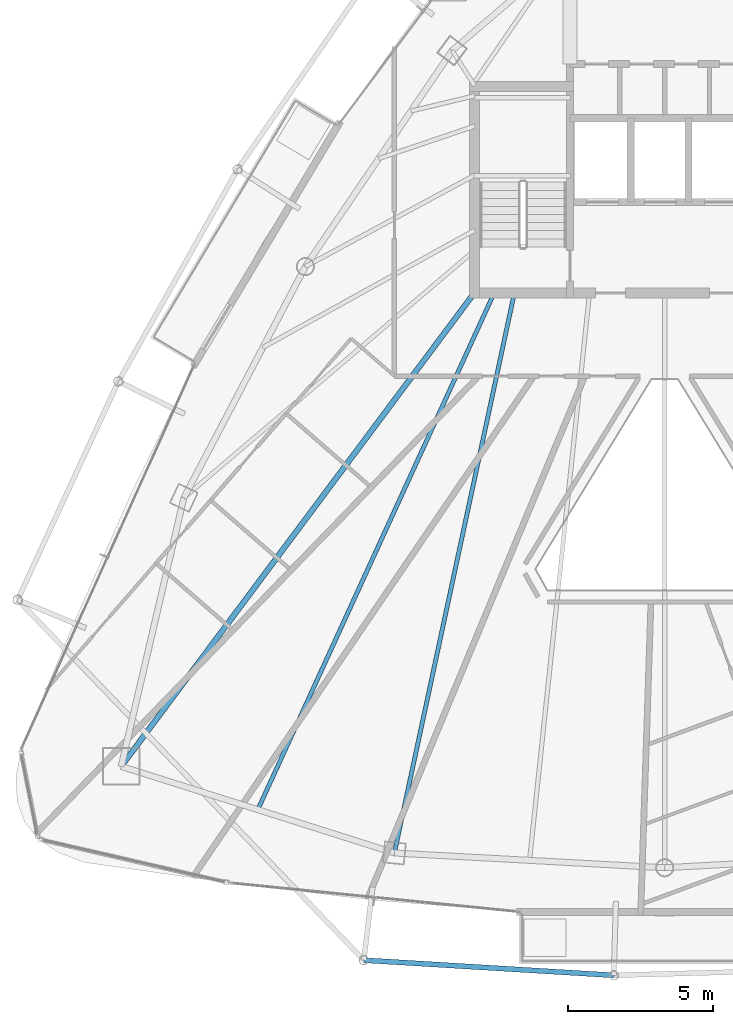
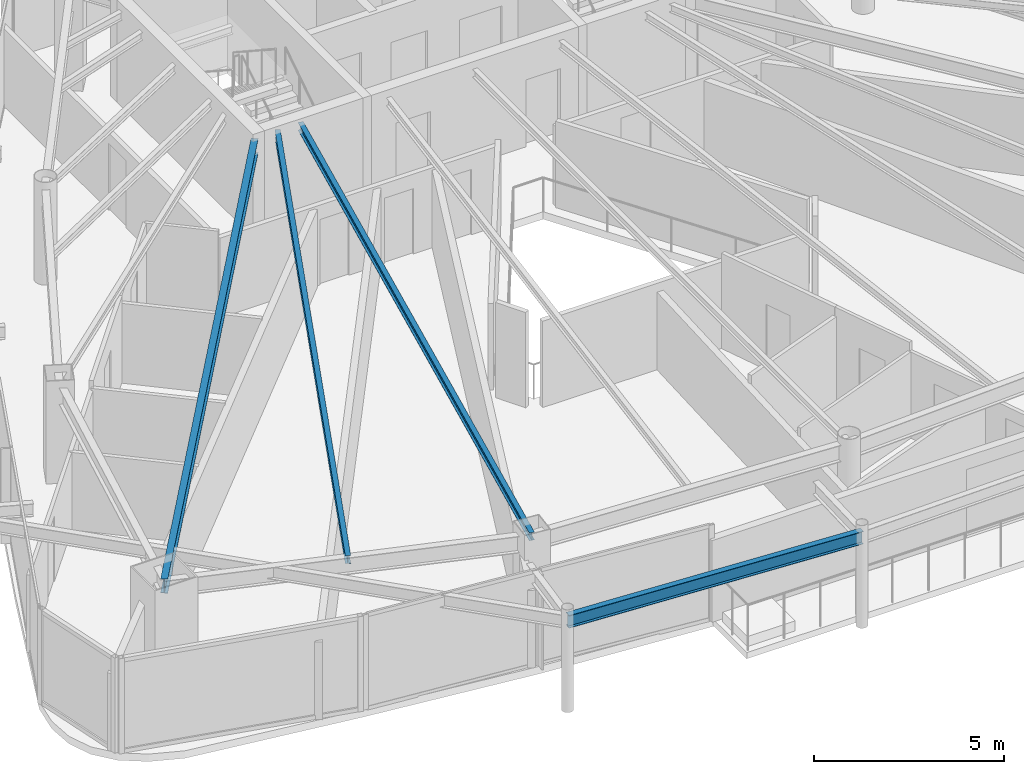
# One storey, part 6 of 29: 4 beams.
"""IFC4 building model written with IfcOpenShell, lengths in metres."""

import ifcopenshell
import ifcopenshell.guid

model = None  # the IFC model being written
_history = None  # IfcOwnerHistory: only IFC2X3 demands one
_inside = {}  # id of a spatial element -> (the spatial element, [elements in it])
_under = {}  # id of a project, library or spatial element -> (it, [spatial elements below it])
_declared = {}  # id of a project -> (the project, [libraries it declares])
_typed = {}  # id of a type object -> (the type object, [elements of that type])
_made_of = {}  # id of a material, layer set ... -> (it, [elements and type objects made of it])


def new_model(schema):
    """Start an empty IFC model of exactly this schema.

    Asked for "IFC4X3", IfcOpenShell would pick the latest addendum, in which some entities
    have other attributes; the version numbers below select the first issue.
    IFC2X3 requires an IfcOwnerHistory on every rooted entity: one is made here for all.
    """
    global model, _history
    if schema == "IFC4X3":
        model = ifcopenshell.file(schema_version=(4, 3, 0, 0))
    else:
        model = ifcopenshell.file(schema=schema)
    _inside.clear()
    _under.clear()
    _declared.clear()
    _typed.clear()
    _made_of.clear()
    _history = None
    if model.schema == "IFC2X3":
        org = make("IfcOrganization", Name="unknown")
        user = make(
            "IfcPersonAndOrganization",
            ThePerson=make("IfcPerson", FamilyName="unknown"),
            TheOrganization=org,
        )
        app = make(
            "IfcApplication",
            ApplicationDeveloper=org,
            Version="unknown",
            ApplicationFullName="unknown",
            ApplicationIdentifier="unknown",
        )
        _history = make(
            "IfcOwnerHistory",
            OwningUser=user,
            OwningApplication=app,
            ChangeAction="ADDED",
            CreationDate=0,
        )
    return model


def make(cls, **values):
    """One entity of the class cls with the attributes given. An attribute that is None is left unset."""
    return model.create_entity(
        cls, **{name: value for name, value in values.items() if value is not None}
    )


def rooted(cls, **values):
    """An entity with a GlobalId (a new one), such as an element, a storey or a relation."""
    return make(cls, GlobalId=ifcopenshell.guid.new(), OwnerHistory=_history, **values)


def si_unit(unit_type, name, prefix=None):
    """IfcSIUnit, for example si_unit("LENGTHUNIT", "METRE", prefix="MILLI")."""
    return make("IfcSIUnit", UnitType=unit_type, Prefix=prefix, Name=name)


def assignment(units):
    """IfcUnitAssignment: the units of a project."""
    return None if units is None else make("IfcUnitAssignment", Units=units)


def point(xyz):
    """IfcCartesianPoint."""
    return None if xyz is None else make("IfcCartesianPoint", Coordinates=xyz)


def direction(xyz):
    """IfcDirection."""
    return None if xyz is None else make("IfcDirection", DirectionRatios=xyz)


def frame(location, z_axis=None, x_axis=None):
    """IfcAxis2Placement3D, a coordinate frame: its origin and axes. An axis left out is left unset."""
    return make(
        "IfcAxis2Placement3D",
        Location=point(location),
        Axis=direction(z_axis),
        RefDirection=direction(x_axis),
    )


def frame_2d(location, x_axis=None):
    """IfcAxis2Placement2D, a coordinate frame in the plane: its origin and x axis."""
    return make(
        "IfcAxis2Placement2D", Location=point(location), RefDirection=direction(x_axis)
    )


def origin():
    """The frame at (0, 0, 0) with its axes left unset."""
    return frame((0.0, 0.0, 0.0))


def origin_2d():
    """The frame at (0, 0) in the plane with its x axis left unset."""
    return frame_2d((0.0, 0.0))


def place(relative_to, where):
    """IfcLocalPlacement: puts the frame where relative to a parent placement (None: the world)."""
    return make(
        "IfcLocalPlacement", PlacementRelTo=relative_to, RelativePlacement=where
    )


def context(
    kind, dimensions, precision=None, world=None, true_north=None, identifier=None
):
    """IfcGeometricRepresentationContext, for example the 3D "Model" context."""
    return make(
        "IfcGeometricRepresentationContext",
        ContextIdentifier=identifier,
        ContextType=kind,
        CoordinateSpaceDimension=dimensions,
        Precision=precision,
        WorldCoordinateSystem=world,
        TrueNorth=true_north,
    )


def subcontext(parent, identifier, kind, view, scale=None):
    """IfcGeometricRepresentationSubContext, for example "Body" below "Model"."""
    return make(
        "IfcGeometricRepresentationSubContext",
        ContextIdentifier=identifier,
        ContextType=kind,
        ParentContext=parent,
        TargetScale=scale,
        TargetView=view,
    )


def project(units=None, contexts=None):
    """IfcProject with its units and contexts."""
    return rooted(
        "IfcProject",
        Name="project",
        RepresentationContexts=contexts,
        UnitsInContext=assignment(units),
    )


def spatial(cls, under=None, at=None, **own):
    """A site, building, storey or space (cls), placed at a placement, below another one or the project."""
    s = rooted(cls, ObjectPlacement=at, **own)
    if under is not None:
        _under.setdefault(under.id(), (under, []))[1].append(s)
    return s


def profile(cls, at=None, kind="AREA", **sizes):
    """A parametric profile (cls). Its sizes go by their IFC names, for example OverallWidth=200.0."""
    return make(cls, ProfileType=kind, Position=at, **sizes)


def i_section(**sizes):
    """IfcIShapeProfileDef."""
    return profile("IfcIShapeProfileDef", **sizes)


def extrude(swept, where, along, depth):
    """IfcExtrudedAreaSolid: the profile swept, set in the frame where, extruded along a direction by depth."""
    return make(
        "IfcExtrudedAreaSolid",
        SweptArea=swept,
        Position=where,
        ExtrudedDirection=direction(along),
        Depth=depth,
    )


def shape(context_of_items, identifier, shape_type, items):
    """IfcShapeRepresentation: the items that make up one representation, for example the "Body"."""
    return make(
        "IfcShapeRepresentation",
        ContextOfItems=context_of_items,
        RepresentationIdentifier=identifier,
        RepresentationType=shape_type,
        Items=items,
    )


def material(Name=None, Category=None):
    """IfcMaterial."""
    return make("IfcMaterial", Name=Name, Category=Category)


def material_profile(
    of_material, cross_section, Name=None, Category=None, Priority=None
):
    """IfcMaterialProfile: a cross section and its material."""
    return make(
        "IfcMaterialProfile",
        Name=Name,
        Material=of_material,
        Profile=cross_section,
        Priority=Priority,
        Category=Category,
    )


def profile_set(profiles, Name=None, composite=None):
    """IfcMaterialProfileSet."""
    return make(
        "IfcMaterialProfileSet",
        Name=Name,
        MaterialProfiles=profiles,
        CompositeProfile=composite,
    )


def made_of(thing, what):
    """Note that an element or type object is made of a material, layer set ...; save() writes the relation."""
    if what is not None:
        _made_of.setdefault(what.id(), (what, []))[1].append(thing)
    return thing


def type_object(cls, material=None, **own):
    """A type object (cls), such as IfcWallType, which elements share."""
    return made_of(rooted(cls, **own), material)


def element(
    cls,
    number,
    at=None,
    inside=None,
    cuts=None,
    type_object=None,
    material=None,
    context=None,
    identifier="Body",
    shape_type=None,
    held_by="IfcProductDefinitionShape",
    body=None,
    shapes=None,
    **own,
):
    """One element of the class cls, such as IfcWall. Its Tag is "e" and its number.

    at: its placement. inside: the storey or other place that contains it. cuts: it is an
    opening in that element (IfcRelVoidsElement). A single representation is given by context,
    identifier, shape_type and body (its items); several are given by shapes. held_by: the class
    of the entity that holds the representations. save() writes the other relations.
    """
    e = rooted(cls, Tag="e%d" % number, ObjectPlacement=at, **own)
    if body is not None:
        shapes = [shape(context, identifier, shape_type, body)]
    if shapes is not None:
        e.Representation = make(held_by, Representations=shapes)
    if inside is not None:
        _inside.setdefault(inside.id(), (inside, []))[1].append(e)
    if cuts is not None:
        rooted(
            "IfcRelVoidsElement", RelatingBuildingElement=cuts, RelatedOpeningElement=e
        )
    if type_object is not None:
        _typed.setdefault(type_object.id(), (type_object, []))[1].append(e)
    return made_of(e, material)


def aggregate(whole, parts):
    """IfcRelAggregates: a whole, such as a stair, and the parts it consists of."""
    return rooted("IfcRelAggregates", RelatingObject=whole, RelatedObjects=parts)


def save(model, path):
    """Write the relations noted so far, then the file.

    IfcRelAggregates (storeys below a building ...), IfcRelContainedInSpatialStructure (elements
    in a storey), IfcRelDefinesByType, IfcRelAssociatesMaterial and IfcRelDeclares: one each for
    every whole, place, type object, material and project.
    """
    for whole, parts in _under.values():
        aggregate(whole, parts)
    for where, things in _inside.values():
        rooted(
            "IfcRelContainedInSpatialStructure",
            RelatedElements=things,
            RelatingStructure=where,
        )
    for kind, things in _typed.values():
        rooted("IfcRelDefinesByType", RelatedObjects=things, RelatingType=kind)
    for what, things in _made_of.values():
        rooted("IfcRelAssociatesMaterial", RelatedObjects=things, RelatingMaterial=what)
    for by, libraries in _declared.values():
        rooted("IfcRelDeclares", RelatingContext=by, RelatedDefinitions=libraries)
    model.write(path)


model = new_model("IFC4")

# Units and contexts
model_context = context("Model", 3, precision=1e-05, world=origin(), true_north=direction((0.0, 1.0)))
body_context = subcontext(model_context, "Body", "Model", "MODEL_VIEW")
ifc_project = project(units=[si_unit("LENGTHUNIT", "METRE"), si_unit("AREAUNIT", "SQUARE_METRE"), si_unit("VOLUMEUNIT", "CUBIC_METRE"), si_unit("PLANEANGLEUNIT", "RADIAN"), si_unit("MASSUNIT", "GRAM", prefix="KILO")], contexts=[model_context])

# Site, building, storey
site_placement = place(None, origin())
site = spatial("IfcSite", under=ifc_project, at=site_placement, CompositionType="ELEMENT")
building_placement = place(site_placement, origin())
building = spatial("IfcBuilding", under=site, at=building_placement, Name="Orvanel Arch Residences", CompositionType="ELEMENT")
storey_placement = place(building_placement, frame((0.0, 0.0, 243.64990234375)))
storey = spatial("IfcBuildingStorey", under=building, at=storey_placement, Name="L69", CompositionType="ELEMENT", Elevation=243.64990234375)

# Beams
ifc_material = material(Name="Structural steel AS/NZS 3679.1 Grade 300 (300 MPa)", Category="steel")
ifc_material_profile_1 = material_profile(ifc_material, i_section(OverallWidth=0.19091796875, OverallDepth=0.4599609375, WebThickness=0.010009765625, FlangeThickness=0.01611328125, at=origin_2d()), Name="460UB82.1")
ifc_profile_set_1 = profile_set([ifc_material_profile_1], Name="Structural steel AS/NZS 3679.1 Grade 300 (300 MPa)")
beam_type_1 = type_object("IfcBeamType", Name="BG-460UB", PredefinedType="BEAM", material=ifc_profile_set_1)
beam_1_placement = place(storey_placement, frame((26.375, 26.675048828125, 2.830078125), z_axis=(-0.597893733742, -0.801575375839, 0.0), x_axis=(0.801575375839, -0.597893733742, 0.0)))
element("IfcBeam", 1, at=beam_1_placement, inside=storey, type_object=beam_type_1, Name="L69 South-West Radial Girder", PredefinedType="BEAM", context=body_context, shape_type="SweptSolid", body=[
    extrude(i_section(OverallWidth=0.19091796875, OverallDepth=0.4599609375, WebThickness=0.010009765625, FlangeThickness=0.01611328125, at=origin_2d()), origin(), (0.0, 0.0, 1.0), 20.36474609375),
])
ifc_material_profile_2 = material_profile(ifc_material, i_section(OverallWidth=0.14599609375, OverallDepth=0.251953125, WebThickness=0.006103515625, FlangeThickness=0.008544921875, at=origin_2d()), Name="250UB31.4")
ifc_profile_set_2 = profile_set([ifc_material_profile_2], Name="Structural steel AS/NZS 3679.1 Grade 300 (300 MPa)")
beam_type_2 = type_object("IfcBeamType", Name="BJ-250UB", PredefinedType="JOIST", material=ifc_profile_set_2)
beam_2_placement = place(storey_placement, frame((27.800048828125, 26.72509765625, 2.93408203125), z_axis=(-0.209547604985, -0.977798446125, 0.0), x_axis=(0.977798446125, -0.209547604985, 0.0)))
element("IfcBeam", 2, at=beam_2_placement, inside=storey, type_object=beam_type_2, Name="L69 SW Wing Floor Joist", PredefinedType="JOIST", context=body_context, shape_type="SweptSolid", body=[
    extrude(i_section(OverallWidth=0.14599609375, OverallDepth=0.251953125, WebThickness=0.006103515625, FlangeThickness=0.008544921875, at=origin_2d()), origin(), (0.0, 0.0, 1.0), 19.809814453125),
])
beam_3_placement = place(storey_placement, frame((27.10009765625, 26.72509765625, 2.93408203125), z_axis=(-0.416009574066, -0.909360233508, 0.0), x_axis=(0.909360233508, -0.416009574066, 0.0)))
element("IfcBeam", 3, at=beam_3_placement, inside=storey, type_object=beam_type_2, Name="L69 JADD1 Wing Floor Joist", PredefinedType="JOIST", context=body_context, shape_type="SweptSolid", body=[
    extrude(i_section(OverallWidth=0.14599609375, OverallDepth=0.251953125, WebThickness=0.006103515625, FlangeThickness=0.008544921875, at=origin_2d()), origin(), (0.0, 0.0, 1.0), 19.653564453125),
])
ifc_material_profile_3 = material_profile(ifc_material, i_section(OverallWidth=0.177978515625, OverallDepth=0.406005859375, WebThickness=0.0078125, FlangeThickness=0.0126953125, at=origin_2d()), Name="410UB59.7")
ifc_profile_set_3 = profile_set([ifc_material_profile_3], Name="Structural steel AS/NZS 3679.1 Grade 300 (300 MPa)")
beam_type_3 = type_object("IfcBeamType", Name="OB-410UB-EXT", PredefinedType="SPANDREL", material=ifc_profile_set_3)
beam_4_placement = place(storey_placement, frame((22.592041015625, 3.64599609375, 2.857177734375), z_axis=(0.998176634645, -0.060360633262, 0.0), x_axis=(0.060360633262, 0.998176634645, 0.0)))
element("IfcBeam", 4, at=beam_4_placement, inside=storey, type_object=beam_type_3, Name="L69 Outer Perimeter Floor Ring Beam 05", PredefinedType="SPANDREL", context=body_context, shape_type="SweptSolid", body=[
    extrude(i_section(OverallWidth=0.177978515625, OverallDepth=0.406005859375, WebThickness=0.0078125, FlangeThickness=0.0126953125, at=origin_2d()), origin(), (0.0, 0.0, 1.0), 8.663818359375),
])

save(model, "model.ifc")
